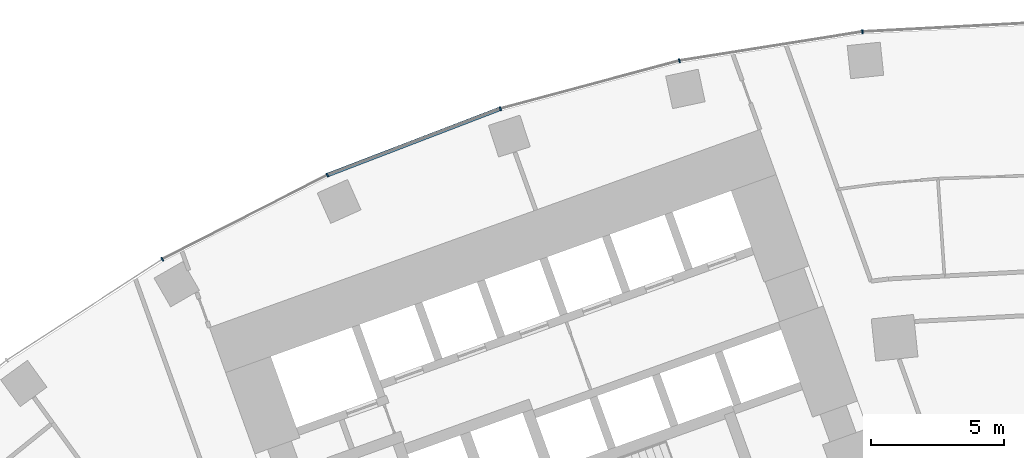
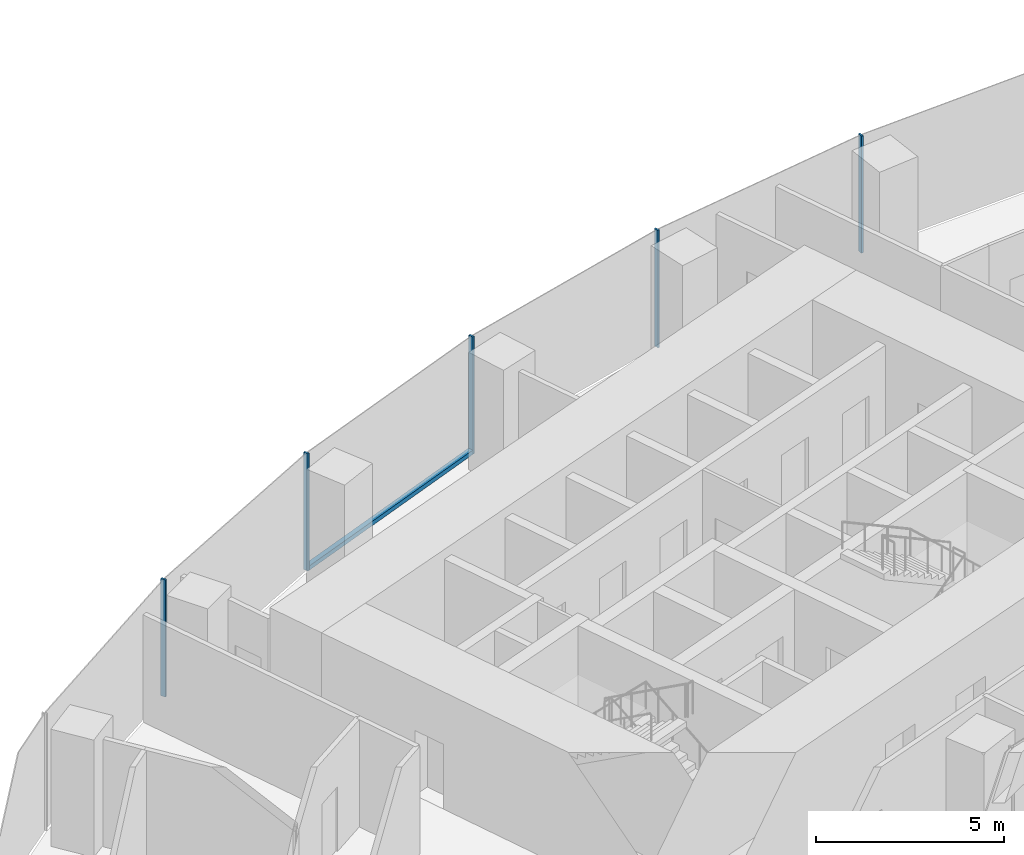
# One storey, part 6 of 21: 6 members, 1 element without a shape of its own.
"""IFC4 building model written with IfcOpenShell, lengths in metres."""

from ifc_helpers import new_model, si_unit, direction, frame, origin, origin_2d, place, context, subcontext, project, spatial, rectangle, extrude, material, layer, layer_set, material_profile, profile_set, type_object, element, aggregate, save


model = new_model("IFC4")

# Units and contexts
model_context = context("Model", 3, precision=1e-05, world=origin(), true_north=direction((0.0, 1.0)))
body_context = subcontext(model_context, "Body", "Model", "MODEL_VIEW")
ifc_project = project(units=[si_unit("LENGTHUNIT", "METRE"), si_unit("AREAUNIT", "SQUARE_METRE"), si_unit("VOLUMEUNIT", "CUBIC_METRE"), si_unit("PLANEANGLEUNIT", "RADIAN"), si_unit("MASSUNIT", "GRAM", prefix="KILO")], contexts=[model_context])

# Site, building, storey
site_placement = place(None, origin())
site = spatial("IfcSite", under=ifc_project, at=site_placement, CompositionType="ELEMENT")
building_placement = place(site_placement, origin())
building = spatial("IfcBuilding", under=site, at=building_placement, Name="Stone Belt Terrace Tower", CompositionType="ELEMENT")
storey_placement = place(building_placement, frame((0.0, 0.0, 37.60009765625)))
storey = spatial("IfcBuildingStorey", under=building, at=storey_placement, Name="L08", CompositionType="ELEMENT", Elevation=37.60009765625)

# Curtain wall, members
ifc_material = material(Name="Aluminium 6063-T6 anodised frame", Category="aluminium")
ifc_layer = layer(ifc_material, 0.14990234375)
ifc_layer_set = layer_set([ifc_layer], Name="CW-A unitised convex-face curtain wall")
curtain_wall_type = type_object("IfcCurtainWallType", Name="CW-A unitised convex-face curtain wall", PredefinedType="NOTDEFINED", material=ifc_layer_set)
curtain_wall_placement = place(storey_placement, origin())
curtain_wall = element("IfcCurtainWall", 1, at=curtain_wall_placement, inside=storey, type_object=curtain_wall_type, Name="CW-A convex face L08", PredefinedType="NOTDEFINED")
ifc_material_profile_1 = material_profile(ifc_material, rectangle(XDim=0.14990234375, YDim=0.06005859375, at=origin_2d()), Name="Aluminium 6063-T6 60x150")
ifc_profile_set_1 = profile_set([ifc_material_profile_1], Name="Aluminium 6063-T6 anodised frame")
member_type_1 = type_object("IfcMemberType", Name="CW-A mullion 60 x 150", PredefinedType="MULLION", material=ifc_profile_set_1)
member_1_placement = place(storey_placement, frame((-6.958984375, 66.21044921875, 0.0), z_axis=(0.0, 0.0, 1.0), x_axis=(0.104528463268, -0.994521895368, 0.0)))
member_1 = element("IfcMember", 2, at=member_1_placement, type_object=member_type_1, Name="CW-A mullion 11", PredefinedType="MULLION", context=body_context, shape_type="SweptSolid", body=[
    extrude(rectangle(XDim=0.14990234375, YDim=0.06005859375, at=origin_2d()), origin(), (0.0, 0.0, 1.0), 3.7998046875),
])
member_2_placement = place(storey_placement, frame((-13.841796875, 65.120361328125, 0.0), z_axis=(0.0, 0.0, 1.0), x_axis=(0.207911690818, -0.978147600734, 0.0)))
member_2 = element("IfcMember", 3, at=member_2_placement, type_object=member_type_1, Name="CW-A mullion 12", PredefinedType="MULLION", context=body_context, shape_type="SweptSolid", body=[
    extrude(rectangle(XDim=0.14990234375, YDim=0.06005859375, at=origin_2d()), origin(), (0.0, 0.0, 1.0), 3.7998046875),
])
member_3_placement = place(storey_placement, frame((-20.57275390625, 63.316650390625, 0.0), z_axis=(0.0, 0.0, 1.0), x_axis=(0.309016994375, -0.951056516295, 0.0)))
member_3 = element("IfcMember", 4, at=member_3_placement, type_object=member_type_1, Name="CW-A mullion 13", PredefinedType="MULLION", context=body_context, shape_type="SweptSolid", body=[
    extrude(rectangle(XDim=0.14990234375, YDim=0.06005859375, at=origin_2d()), origin(), (0.0, 0.0, 1.0), 3.7998046875),
])
member_4_placement = place(storey_placement, frame((-27.07861328125, 60.8193359375, 0.0), z_axis=(0.0, 0.0, 1.0), x_axis=(0.406736643076, -0.913545457643, 0.0)))
member_4 = element("IfcMember", 5, at=member_4_placement, type_object=member_type_1, Name="CW-A mullion 14", PredefinedType="MULLION", context=body_context, shape_type="SweptSolid", body=[
    extrude(rectangle(XDim=0.14990234375, YDim=0.06005859375, at=origin_2d()), origin(), (0.0, 0.0, 1.0), 3.7998046875),
])
member_5_placement = place(storey_placement, frame((-33.28759765625, 57.65576171875, 0.0), z_axis=(0.0, 0.0, 1.0), x_axis=(0.5, -0.866025403784, 0.0)))
member_5 = element("IfcMember", 6, at=member_5_placement, type_object=member_type_1, Name="CW-A mullion 15", PredefinedType="MULLION", context=body_context, shape_type="SweptSolid", body=[
    extrude(rectangle(XDim=0.14990234375, YDim=0.06005859375, at=origin_2d()), origin(), (0.0, 0.0, 1.0), 3.7998046875),
])
ifc_material_profile_2 = material_profile(ifc_material, rectangle(XDim=0.14990234375, YDim=0.139892578125, at=origin_2d()), Name="Aluminium 6063-T6 150x140")
ifc_profile_set_2 = profile_set([ifc_material_profile_2], Name="Aluminium 6063-T6 anodised frame")
member_type_2 = type_object("IfcMemberType", Name="CW-A transom 140 x 150", PredefinedType="USERDEFINED", material=ifc_profile_set_2)
member_6_placement = place(storey_placement, frame((-20.6044921875, 63.304443359375, 0.06982421875), z_axis=(-0.933585210269, -0.358355487146, 0.0), x_axis=(0.358355487146, -0.933585210269, 0.0)))
member_6 = element("IfcMember", 7, at=member_6_placement, type_object=member_type_2, Name="CW-A transom 13.1", ObjectType="TRANSOM", PredefinedType="USERDEFINED", context=body_context, shape_type="SweptSolid", body=[
    extrude(rectangle(XDim=0.14990234375, YDim=0.139892578125, at=origin_2d()), origin(), (0.0, 0.0, 1.0), 6.900634765625),
])
aggregate(curtain_wall, [member_1, member_2, member_3, member_4, member_5, member_6])

save(model, "model.ifc")
